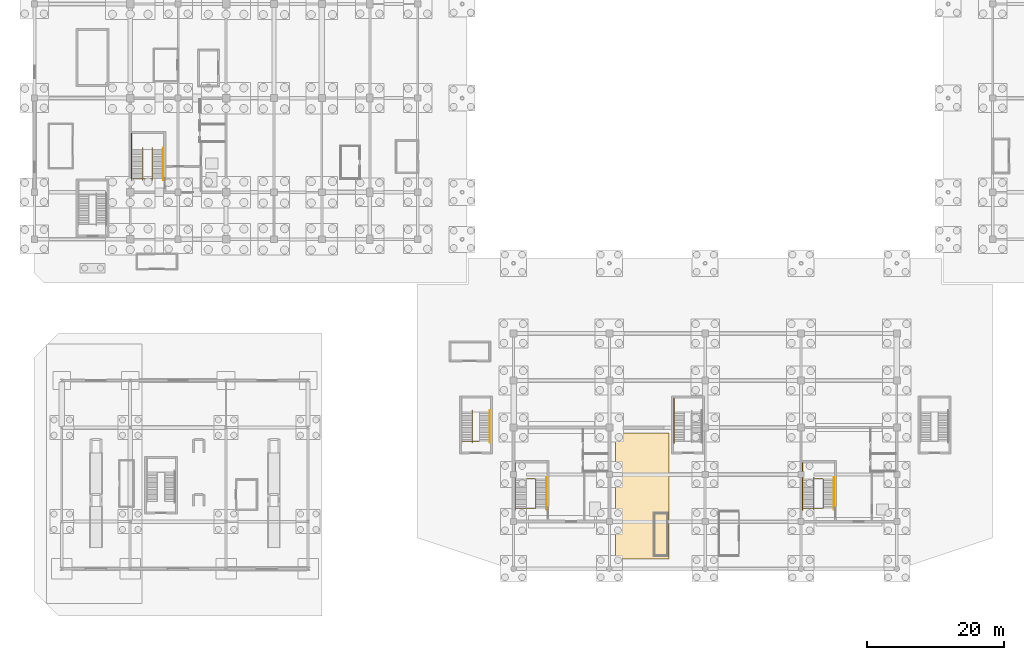
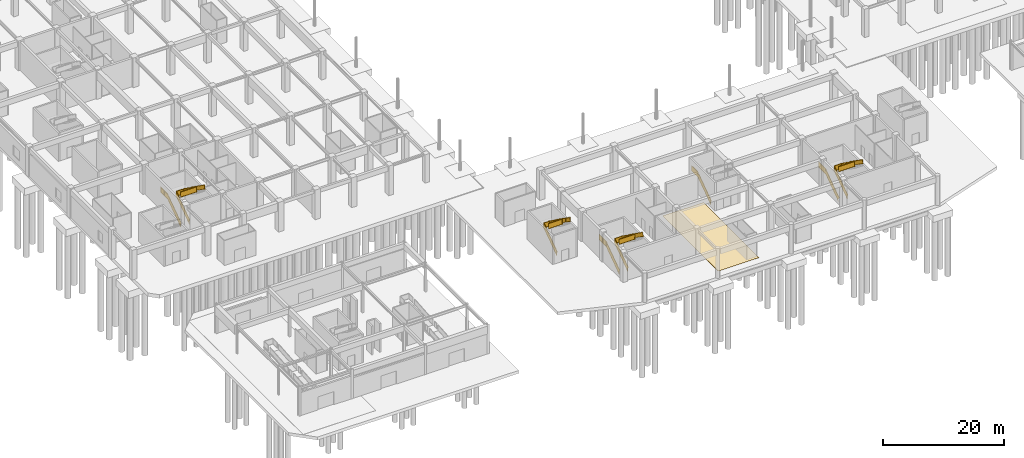
# One storey, part 56 of 62: 12 railings, 1 covering.
"""IFC4 building model written with IfcOpenShell, lengths in metres."""

from ifc_helpers import new_model, si_unit, direction, frame, origin, origin_2d, place, context, subcontext, project, spatial, polyline, rectangle, outline, extrude, material, layer, layer_set, type_object, element, save


model = new_model("IFC4")

# Units and contexts
model_context = context("Model", 3, precision=1e-05, world=origin(), true_north=direction((0.0, 1.0)))
body_context = subcontext(model_context, "Body", "Model", "MODEL_VIEW")
ifc_project = project(units=[si_unit("LENGTHUNIT", "METRE"), si_unit("AREAUNIT", "SQUARE_METRE"), si_unit("VOLUMEUNIT", "CUBIC_METRE"), si_unit("PLANEANGLEUNIT", "RADIAN"), si_unit("MASSUNIT", "GRAM", prefix="KILO")], contexts=[model_context])

# Site, building, storey
site_placement = place(None, origin())
site = spatial("IfcSite", under=ifc_project, at=site_placement, CompositionType="ELEMENT")
building_placement = place(site_placement, origin())
building = spatial("IfcBuilding", under=site, at=building_placement, Name="Linyun Crest Stadium", CompositionType="ELEMENT")
storey_placement = place(building_placement, frame((0.0, 0.0, -6.0)))
storey = spatial("IfcBuildingStorey", under=building, at=storey_placement, Name="B1", CompositionType="ELEMENT", Elevation=-6.0)

# Covering
ifc_material_1 = material(Name="Polymeric cushioned multi-sport athletic flooring")
ifc_layer = layer(ifc_material_1, 0.01806640625)
ifc_layer_set = layer_set([ifc_layer], Name="Polymeric cushioned multi-sport athletic flooring")
covering_type = type_object("IfcCoveringType", Name="FLR01", PredefinedType="FLOORING", material=ifc_layer_set)
covering_placement = place(storey_placement, origin())
element("IfcCovering", 1, at=covering_placement, inside=storey, type_object=covering_type, Name="Athletic flooring FLR01 6", PredefinedType="FLOORING", context=body_context, shape_type="SweptSolid", body=[
    extrude(outline(polyline([(-13.10009765625, -92.699951171875), (-5.300048828125, -92.699951171875), (-5.300048828125, -74.300048828125), (-13.10009765625, -74.300048828125), (-13.10009765625, -92.699951171875)])), origin(), (0.0, 0.0, 1.0), 0.01806640625),
])

# Railings
ifc_material_2 = material(Name="Painted steel stairwell safety guard", Category="steel")
railing_type_1 = type_object("IfcRailingType", Name="GR03", PredefinedType="GUARDRAIL", material=ifc_material_2)
railing_1_placement = place(storey_placement, frame((-83.794921875, -37.135009765625, 0.0)))
element("IfcRailing", 2, at=railing_1_placement, inside=storey, type_object=railing_type_1, Name="STR-01-B1 outer guard", PredefinedType="GUARDRAIL", context=body_context, shape_type="SweptSolid", body=[
    extrude(rectangle(XDim=0.06005859375, YDim=0.06005859375, at=origin_2d()), frame((0.0, 0.0, 1.090087890625), z_axis=(0.0, 0.816967863265, 0.576683197599), x_axis=(-1.0, 0.0, 0.0)), (0.0, 0.0, 1.0), 5.2021484375),
    extrude(rectangle(XDim=0.030029296875, YDim=1.0, at=origin_2d()), frame((0.0, 0.0, 0.56005859375), z_axis=(0.0, 0.816967863265, 0.576683197599), x_axis=(-1.0, 0.0, 0.0)), (0.0, 0.0, 1.0), 5.2021484375),
    extrude(rectangle(XDim=0.06005859375, YDim=0.06005859375, at=origin_2d()), frame((0.0, 0.0, 0.030029296875), z_axis=(0.0, 0.816967863265, 0.576683197599), x_axis=(-1.0, 0.0, 0.0)), (0.0, 0.0, 1.0), 5.2021484375),
    extrude(rectangle(XDim=0.06005859375, YDim=0.06005859375, at=origin_2d()), frame((0.0, 4.25, 4.090087890625), z_axis=(0.0, 1.0, 0.0), x_axis=(-1.0, 0.0, 0.0)), (0.0, 0.0, 1.0), 2.330078125),
    extrude(rectangle(XDim=0.030029296875, YDim=1.0, at=origin_2d()), frame((0.0, 4.25, 3.56005859375), z_axis=(0.0, 1.0, 0.0), x_axis=(-1.0, 0.0, 0.0)), (0.0, 0.0, 1.0), 2.330078125),
    extrude(rectangle(XDim=0.06005859375, YDim=0.06005859375, at=origin_2d()), frame((0.0, 4.25, 3.030029296875), z_axis=(0.0, 1.0, 0.0), x_axis=(-1.0, 0.0, 0.0)), (0.0, 0.0, 1.0), 2.330078125),
    extrude(rectangle(XDim=0.050048828125, YDim=0.050048828125, at=origin_2d()), origin(), (0.0, 0.0, 1.0), 1.1201171875),
    extrude(rectangle(XDim=0.050048828125, YDim=0.050048828125, at=origin_2d()), frame((0.0, 1.416748046875, 1.0)), (0.0, 0.0, 1.0), 1.1201171875),
    extrude(rectangle(XDim=0.050048828125, YDim=0.050048828125, at=origin_2d()), frame((0.0, 2.833251953125, 2.0)), (0.0, 0.0, 1.0), 1.1201171875),
    extrude(rectangle(XDim=0.050048828125, YDim=0.050048828125, at=origin_2d()), frame((0.0, 4.25, 3.0)), (0.0, 0.0, 1.0), 1.1201171875),
    extrude(rectangle(XDim=0.050048828125, YDim=0.050048828125, at=origin_2d()), frame((0.0, 5.4150390625, 3.0)), (0.0, 0.0, 1.0), 1.1201171875),
    extrude(rectangle(XDim=0.050048828125, YDim=0.050048828125, at=origin_2d()), frame((0.0, 6.580078125, 3.0)), (0.0, 0.0, 1.0), 1.1201171875),
])
railing_2_placement = place(storey_placement, frame((-82.155029296875, -37.155029296875, 0.0)))
element("IfcRailing", 3, at=railing_2_placement, inside=storey, type_object=railing_type_1, Name="STR-01-B1 inner well guard", PredefinedType="GUARDRAIL", context=body_context, shape_type="SweptSolid", body=[
    extrude(rectangle(XDim=0.06005859375, YDim=0.06005859375, at=origin_2d()), frame((0.0, 0.0, 1.090087890625), z_axis=(0.0, 0.818241657069, 0.574874412926), x_axis=(-1.0, 0.0, 0.0)), (0.0, 0.0, 1.0), 5.218505859375),
    extrude(rectangle(XDim=0.030029296875, YDim=1.0, at=origin_2d()), frame((0.0, 0.0, 0.56005859375), z_axis=(0.0, 0.818241657069, 0.574874412926), x_axis=(-1.0, 0.0, 0.0)), (0.0, 0.0, 1.0), 5.218505859375),
    extrude(rectangle(XDim=0.06005859375, YDim=0.06005859375, at=origin_2d()), frame((0.0, 0.0, 0.030029296875), z_axis=(0.0, 0.818241657069, 0.574874412926), x_axis=(-1.0, 0.0, 0.0)), (0.0, 0.0, 1.0), 5.218505859375),
    extrude(rectangle(XDim=0.06005859375, YDim=0.06005859375, at=origin_2d()), frame((0.0, 4.27001953125, 4.090087890625), z_axis=(1.0, 0.0, 0.0), x_axis=(0.0, 1.0, 0.0)), (0.0, 0.0, 1.0), 1.385009765625),
    extrude(rectangle(XDim=0.030029296875, YDim=1.0, at=origin_2d()), frame((0.0, 4.27001953125, 3.56005859375), z_axis=(1.0, 0.0, 0.0), x_axis=(0.0, 1.0, 0.0)), (0.0, 0.0, 1.0), 1.385009765625),
    extrude(rectangle(XDim=0.06005859375, YDim=0.06005859375, at=origin_2d()), frame((0.0, 4.27001953125, 3.030029296875), z_axis=(1.0, 0.0, 0.0), x_axis=(0.0, 1.0, 0.0)), (0.0, 0.0, 1.0), 1.385009765625),
    extrude(rectangle(XDim=0.06005859375, YDim=0.06005859375, at=origin_2d()), frame((1.385009765625, 4.27001953125, 4.090087890625), z_axis=(0.0, -0.818241657069, 0.574874412926), x_axis=(1.0, 0.0, 0.0)), (0.0, 0.0, 1.0), 5.218505859375),
    extrude(rectangle(XDim=0.030029296875, YDim=1.0, at=origin_2d()), frame((1.385009765625, 4.27001953125, 3.56005859375), z_axis=(0.0, -0.818241657069, 0.574874412926), x_axis=(1.0, 0.0, 0.0)), (0.0, 0.0, 1.0), 5.218505859375),
    extrude(rectangle(XDim=0.06005859375, YDim=0.06005859375, at=origin_2d()), frame((1.385009765625, 4.27001953125, 3.030029296875), z_axis=(0.0, -0.818241657069, 0.574874412926), x_axis=(1.0, 0.0, 0.0)), (0.0, 0.0, 1.0), 5.218505859375),
    extrude(rectangle(XDim=0.06005859375, YDim=0.06005859375, at=origin_2d()), frame((1.385009765625, 0.0, 7.090087890625), z_axis=(-1.0, 0.0, 0.0), x_axis=(0.0, -1.0, 0.0)), (0.0, 0.0, 1.0), 3.034912109375),
    extrude(rectangle(XDim=0.030029296875, YDim=1.0, at=origin_2d()), frame((1.385009765625, 0.0, 6.56005859375), z_axis=(-1.0, 0.0, 0.0), x_axis=(0.0, -1.0, 0.0)), (0.0, 0.0, 1.0), 3.034912109375),
    extrude(rectangle(XDim=0.06005859375, YDim=0.06005859375, at=origin_2d()), frame((1.385009765625, 0.0, 6.030029296875), z_axis=(-1.0, 0.0, 0.0), x_axis=(0.0, -1.0, 0.0)), (0.0, 0.0, 1.0), 3.034912109375),
    extrude(rectangle(XDim=0.050048828125, YDim=0.050048828125, at=origin_2d()), origin(), (0.0, 0.0, 1.0), 1.1201171875),
    extrude(rectangle(XDim=0.050048828125, YDim=0.050048828125, at=origin_2d()), frame((0.0, 1.42333984375, 1.0)), (0.0, 0.0, 1.0), 1.1201171875),
    extrude(rectangle(XDim=0.050048828125, YDim=0.050048828125, at=origin_2d()), frame((0.0, 2.8466796875, 2.0)), (0.0, 0.0, 1.0), 1.1201171875),
    extrude(rectangle(XDim=0.050048828125, YDim=0.050048828125, at=origin_2d()), frame((0.0, 4.27001953125, 3.0)), (0.0, 0.0, 1.0), 1.1201171875),
    extrude(rectangle(XDim=0.050048828125, YDim=0.050048828125, at=origin_2d()), frame((1.385009765625, 4.27001953125, 3.0)), (0.0, 0.0, 1.0), 1.1201171875),
    extrude(rectangle(XDim=0.050048828125, YDim=0.050048828125, at=origin_2d()), frame((1.385009765625, 2.8466796875, 4.0)), (0.0, 0.0, 1.0), 1.1201171875),
    extrude(rectangle(XDim=0.050048828125, YDim=0.050048828125, at=origin_2d()), frame((1.385009765625, 1.42333984375, 5.0)), (0.0, 0.0, 1.0), 1.1201171875),
    extrude(rectangle(XDim=0.050048828125, YDim=0.050048828125, at=origin_2d()), frame((1.385009765625, 0.0, 6.0)), (0.0, 0.0, 1.0), 1.1201171875),
    extrude(rectangle(XDim=0.050048828125, YDim=0.050048828125, at=origin_2d()), frame((-0.13232421875, 0.0, 6.0)), (0.0, 0.0, 1.0), 1.1201171875),
    extrude(rectangle(XDim=0.050048828125, YDim=0.050048828125, at=origin_2d()), frame((-1.64990234375, 0.0, 6.0)), (0.0, 0.0, 1.0), 1.1201171875),
])
railing_3_placement = place(storey_placement, frame((-27.7451171875, -85.260009765625, 0.0)))
element("IfcRailing", 4, at=railing_3_placement, inside=storey, type_object=railing_type_1, Name="STR-09-B1 outer guard", PredefinedType="GUARDRAIL", context=body_context, shape_type="SweptSolid", body=[
    extrude(rectangle(XDim=0.06005859375, YDim=0.06005859375, at=origin_2d()), frame((0.0, 0.0, 1.090087890625), z_axis=(0.0, 0.816967863265, 0.576683197599), x_axis=(-1.0, 0.0, 0.0)), (0.0, 0.0, 1.0), 5.2021484375),
    extrude(rectangle(XDim=0.030029296875, YDim=1.0, at=origin_2d()), frame((0.0, 0.0, 0.56005859375), z_axis=(0.0, 0.816967863265, 0.576683197599), x_axis=(-1.0, 0.0, 0.0)), (0.0, 0.0, 1.0), 5.2021484375),
    extrude(rectangle(XDim=0.06005859375, YDim=0.06005859375, at=origin_2d()), frame((0.0, 0.0, 0.030029296875), z_axis=(0.0, 0.816967863265, 0.576683197599), x_axis=(-1.0, 0.0, 0.0)), (0.0, 0.0, 1.0), 5.2021484375),
    extrude(rectangle(XDim=0.06005859375, YDim=0.06005859375, at=origin_2d()), frame((0.0, 4.25, 4.090087890625), z_axis=(0.0, 1.0, 0.0), x_axis=(-1.0, 0.0, 0.0)), (0.0, 0.0, 1.0), 2.330078125),
    extrude(rectangle(XDim=0.030029296875, YDim=1.0, at=origin_2d()), frame((0.0, 4.25, 3.56005859375), z_axis=(0.0, 1.0, 0.0), x_axis=(-1.0, 0.0, 0.0)), (0.0, 0.0, 1.0), 2.330078125),
    extrude(rectangle(XDim=0.06005859375, YDim=0.06005859375, at=origin_2d()), frame((0.0, 4.25, 3.030029296875), z_axis=(0.0, 1.0, 0.0), x_axis=(-1.0, 0.0, 0.0)), (0.0, 0.0, 1.0), 2.330078125),
    extrude(rectangle(XDim=0.050048828125, YDim=0.050048828125, at=origin_2d()), origin(), (0.0, 0.0, 1.0), 1.1201171875),
    extrude(rectangle(XDim=0.050048828125, YDim=0.050048828125, at=origin_2d()), frame((0.0, 1.416748046875, 1.0)), (0.0, 0.0, 1.0), 1.1201171875),
    extrude(rectangle(XDim=0.050048828125, YDim=0.050048828125, at=origin_2d()), frame((0.0, 2.833251953125, 2.0)), (0.0, 0.0, 1.0), 1.1201171875),
    extrude(rectangle(XDim=0.050048828125, YDim=0.050048828125, at=origin_2d()), frame((0.0, 4.25, 3.0)), (0.0, 0.0, 1.0), 1.1201171875),
    extrude(rectangle(XDim=0.050048828125, YDim=0.050048828125, at=origin_2d()), frame((0.0, 5.4150390625, 3.0)), (0.0, 0.0, 1.0), 1.1201171875),
    extrude(rectangle(XDim=0.050048828125, YDim=0.050048828125, at=origin_2d()), frame((0.0, 6.580078125, 3.0)), (0.0, 0.0, 1.0), 1.1201171875),
])
railing_4_placement = place(storey_placement, frame((-26.10498046875, -85.280029296875, 0.0)))
element("IfcRailing", 5, at=railing_4_placement, inside=storey, type_object=railing_type_1, Name="STR-09-B1 inner well guard", PredefinedType="GUARDRAIL", context=body_context, shape_type="SweptSolid", body=[
    extrude(rectangle(XDim=0.06005859375, YDim=0.06005859375, at=origin_2d()), frame((0.0, 0.0, 1.090087890625), z_axis=(0.0, 0.818241657069, 0.574874412926), x_axis=(-1.0, 0.0, 0.0)), (0.0, 0.0, 1.0), 5.218505859375),
    extrude(rectangle(XDim=0.030029296875, YDim=1.0, at=origin_2d()), frame((0.0, 0.0, 0.56005859375), z_axis=(0.0, 0.818241657069, 0.574874412926), x_axis=(-1.0, 0.0, 0.0)), (0.0, 0.0, 1.0), 5.218505859375),
    extrude(rectangle(XDim=0.06005859375, YDim=0.06005859375, at=origin_2d()), frame((0.0, 0.0, 0.030029296875), z_axis=(0.0, 0.818241657069, 0.574874412926), x_axis=(-1.0, 0.0, 0.0)), (0.0, 0.0, 1.0), 5.218505859375),
    extrude(rectangle(XDim=0.06005859375, YDim=0.06005859375, at=origin_2d()), frame((0.0, 4.27001953125, 4.090087890625), z_axis=(1.0, 0.0, 0.0), x_axis=(0.0, 1.0, 0.0)), (0.0, 0.0, 1.0), 1.3349609375),
    extrude(rectangle(XDim=0.030029296875, YDim=1.0, at=origin_2d()), frame((0.0, 4.27001953125, 3.56005859375), z_axis=(1.0, 0.0, 0.0), x_axis=(0.0, 1.0, 0.0)), (0.0, 0.0, 1.0), 1.3349609375),
    extrude(rectangle(XDim=0.06005859375, YDim=0.06005859375, at=origin_2d()), frame((0.0, 4.27001953125, 3.030029296875), z_axis=(1.0, 0.0, 0.0), x_axis=(0.0, 1.0, 0.0)), (0.0, 0.0, 1.0), 1.3349609375),
    extrude(rectangle(XDim=0.06005859375, YDim=0.06005859375, at=origin_2d()), frame((1.3349609375, 4.27001953125, 4.090087890625), z_axis=(0.0, -0.818241657069, 0.574874412926), x_axis=(1.0, 0.0, 0.0)), (0.0, 0.0, 1.0), 5.218505859375),
    extrude(rectangle(XDim=0.030029296875, YDim=1.0, at=origin_2d()), frame((1.3349609375, 4.27001953125, 3.56005859375), z_axis=(0.0, -0.818241657069, 0.574874412926), x_axis=(1.0, 0.0, 0.0)), (0.0, 0.0, 1.0), 5.218505859375),
    extrude(rectangle(XDim=0.06005859375, YDim=0.06005859375, at=origin_2d()), frame((1.3349609375, 4.27001953125, 3.030029296875), z_axis=(0.0, -0.818241657069, 0.574874412926), x_axis=(1.0, 0.0, 0.0)), (0.0, 0.0, 1.0), 5.218505859375),
    extrude(rectangle(XDim=0.06005859375, YDim=0.06005859375, at=origin_2d()), frame((1.3349609375, 0.0, 7.090087890625), z_axis=(-1.0, 0.0, 0.0), x_axis=(0.0, -1.0, 0.0)), (0.0, 0.0, 1.0), 2.98486328125),
    extrude(rectangle(XDim=0.030029296875, YDim=1.0, at=origin_2d()), frame((1.3349609375, 0.0, 6.56005859375), z_axis=(-1.0, 0.0, 0.0), x_axis=(0.0, -1.0, 0.0)), (0.0, 0.0, 1.0), 2.98486328125),
    extrude(rectangle(XDim=0.06005859375, YDim=0.06005859375, at=origin_2d()), frame((1.3349609375, 0.0, 6.030029296875), z_axis=(-1.0, 0.0, 0.0), x_axis=(0.0, -1.0, 0.0)), (0.0, 0.0, 1.0), 2.98486328125),
    extrude(rectangle(XDim=0.050048828125, YDim=0.050048828125, at=origin_2d()), origin(), (0.0, 0.0, 1.0), 1.1201171875),
    extrude(rectangle(XDim=0.050048828125, YDim=0.050048828125, at=origin_2d()), frame((0.0, 1.42333984375, 1.0)), (0.0, 0.0, 1.0), 1.1201171875),
    extrude(rectangle(XDim=0.050048828125, YDim=0.050048828125, at=origin_2d()), frame((0.0, 2.8466796875, 2.0)), (0.0, 0.0, 1.0), 1.1201171875),
    extrude(rectangle(XDim=0.050048828125, YDim=0.050048828125, at=origin_2d()), frame((0.0, 4.27001953125, 3.0)), (0.0, 0.0, 1.0), 1.1201171875),
    extrude(rectangle(XDim=0.050048828125, YDim=0.050048828125, at=origin_2d()), frame((1.3349609375, 4.27001953125, 3.0)), (0.0, 0.0, 1.0), 1.1201171875),
    extrude(rectangle(XDim=0.050048828125, YDim=0.050048828125, at=origin_2d()), frame((1.3349609375, 2.8466796875, 4.0)), (0.0, 0.0, 1.0), 1.1201171875),
    extrude(rectangle(XDim=0.050048828125, YDim=0.050048828125, at=origin_2d()), frame((1.3349609375, 1.42333984375, 5.0)), (0.0, 0.0, 1.0), 1.1201171875),
    extrude(rectangle(XDim=0.050048828125, YDim=0.050048828125, at=origin_2d()), frame((1.3349609375, 0.0, 6.0)), (0.0, 0.0, 1.0), 1.1201171875),
    extrude(rectangle(XDim=0.050048828125, YDim=0.050048828125, at=origin_2d()), frame((-0.157470703125, 0.0, 6.0)), (0.0, 0.0, 1.0), 1.1201171875),
    extrude(rectangle(XDim=0.050048828125, YDim=0.050048828125, at=origin_2d()), frame((-1.64990234375, 0.0, 6.0)), (0.0, 0.0, 1.0), 1.1201171875),
])
railing_5_placement = place(storey_placement, frame((14.205078125, -85.260009765625, 0.0)))
element("IfcRailing", 6, at=railing_5_placement, inside=storey, type_object=railing_type_1, Name="STR-10-B1 outer guard", PredefinedType="GUARDRAIL", context=body_context, shape_type="SweptSolid", body=[
    extrude(rectangle(XDim=0.06005859375, YDim=0.06005859375, at=origin_2d()), frame((0.0, 0.0, 1.090087890625), z_axis=(0.0, 0.816967863265, 0.576683197599), x_axis=(-1.0, 0.0, 0.0)), (0.0, 0.0, 1.0), 5.2021484375),
    extrude(rectangle(XDim=0.030029296875, YDim=1.0, at=origin_2d()), frame((0.0, 0.0, 0.56005859375), z_axis=(0.0, 0.816967863265, 0.576683197599), x_axis=(-1.0, 0.0, 0.0)), (0.0, 0.0, 1.0), 5.2021484375),
    extrude(rectangle(XDim=0.06005859375, YDim=0.06005859375, at=origin_2d()), frame((0.0, 0.0, 0.030029296875), z_axis=(0.0, 0.816967863265, 0.576683197599), x_axis=(-1.0, 0.0, 0.0)), (0.0, 0.0, 1.0), 5.2021484375),
    extrude(rectangle(XDim=0.06005859375, YDim=0.06005859375, at=origin_2d()), frame((0.0, 4.25, 4.090087890625), z_axis=(0.0, 1.0, 0.0), x_axis=(-1.0, 0.0, 0.0)), (0.0, 0.0, 1.0), 2.330078125),
    extrude(rectangle(XDim=0.030029296875, YDim=1.0, at=origin_2d()), frame((0.0, 4.25, 3.56005859375), z_axis=(0.0, 1.0, 0.0), x_axis=(-1.0, 0.0, 0.0)), (0.0, 0.0, 1.0), 2.330078125),
    extrude(rectangle(XDim=0.06005859375, YDim=0.06005859375, at=origin_2d()), frame((0.0, 4.25, 3.030029296875), z_axis=(0.0, 1.0, 0.0), x_axis=(-1.0, 0.0, 0.0)), (0.0, 0.0, 1.0), 2.330078125),
    extrude(rectangle(XDim=0.050048828125, YDim=0.050048828125, at=origin_2d()), origin(), (0.0, 0.0, 1.0), 1.1201171875),
    extrude(rectangle(XDim=0.050048828125, YDim=0.050048828125, at=origin_2d()), frame((0.0, 1.416748046875, 1.0)), (0.0, 0.0, 1.0), 1.1201171875),
    extrude(rectangle(XDim=0.050048828125, YDim=0.050048828125, at=origin_2d()), frame((0.0, 2.833251953125, 2.0)), (0.0, 0.0, 1.0), 1.1201171875),
    extrude(rectangle(XDim=0.050048828125, YDim=0.050048828125, at=origin_2d()), frame((0.0, 4.25, 3.0)), (0.0, 0.0, 1.0), 1.1201171875),
    extrude(rectangle(XDim=0.050048828125, YDim=0.050048828125, at=origin_2d()), frame((0.0, 5.4150390625, 3.0)), (0.0, 0.0, 1.0), 1.1201171875),
    extrude(rectangle(XDim=0.050048828125, YDim=0.050048828125, at=origin_2d()), frame((0.0, 6.580078125, 3.0)), (0.0, 0.0, 1.0), 1.1201171875),
])
railing_6_placement = place(storey_placement, frame((15.844970703125, -85.280029296875, 0.0)))
element("IfcRailing", 7, at=railing_6_placement, inside=storey, type_object=railing_type_1, Name="STR-10-B1 inner well guard", PredefinedType="GUARDRAIL", context=body_context, shape_type="SweptSolid", body=[
    extrude(rectangle(XDim=0.06005859375, YDim=0.06005859375, at=origin_2d()), frame((0.0, 0.0, 1.090087890625), z_axis=(0.0, 0.818241657069, 0.574874412926), x_axis=(-1.0, 0.0, 0.0)), (0.0, 0.0, 1.0), 5.218505859375),
    extrude(rectangle(XDim=0.030029296875, YDim=1.0, at=origin_2d()), frame((0.0, 0.0, 0.56005859375), z_axis=(0.0, 0.818241657069, 0.574874412926), x_axis=(-1.0, 0.0, 0.0)), (0.0, 0.0, 1.0), 5.218505859375),
    extrude(rectangle(XDim=0.06005859375, YDim=0.06005859375, at=origin_2d()), frame((0.0, 0.0, 0.030029296875), z_axis=(0.0, 0.818241657069, 0.574874412926), x_axis=(-1.0, 0.0, 0.0)), (0.0, 0.0, 1.0), 5.218505859375),
    extrude(rectangle(XDim=0.06005859375, YDim=0.06005859375, at=origin_2d()), frame((0.0, 4.27001953125, 4.090087890625), z_axis=(1.0, 0.0, 0.0), x_axis=(0.0, 1.0, 0.0)), (0.0, 0.0, 1.0), 1.385009765625),
    extrude(rectangle(XDim=0.030029296875, YDim=1.0, at=origin_2d()), frame((0.0, 4.27001953125, 3.56005859375), z_axis=(1.0, 0.0, 0.0), x_axis=(0.0, 1.0, 0.0)), (0.0, 0.0, 1.0), 1.385009765625),
    extrude(rectangle(XDim=0.06005859375, YDim=0.06005859375, at=origin_2d()), frame((0.0, 4.27001953125, 3.030029296875), z_axis=(1.0, 0.0, 0.0), x_axis=(0.0, 1.0, 0.0)), (0.0, 0.0, 1.0), 1.385009765625),
    extrude(rectangle(XDim=0.06005859375, YDim=0.06005859375, at=origin_2d()), frame((1.385009765625, 4.27001953125, 4.090087890625), z_axis=(0.0, -0.818241657069, 0.574874412926), x_axis=(1.0, 0.0, 0.0)), (0.0, 0.0, 1.0), 5.218505859375),
    extrude(rectangle(XDim=0.030029296875, YDim=1.0, at=origin_2d()), frame((1.385009765625, 4.27001953125, 3.56005859375), z_axis=(0.0, -0.818241657069, 0.574874412926), x_axis=(1.0, 0.0, 0.0)), (0.0, 0.0, 1.0), 5.218505859375),
    extrude(rectangle(XDim=0.06005859375, YDim=0.06005859375, at=origin_2d()), frame((1.385009765625, 4.27001953125, 3.030029296875), z_axis=(0.0, -0.818241657069, 0.574874412926), x_axis=(1.0, 0.0, 0.0)), (0.0, 0.0, 1.0), 5.218505859375),
    extrude(rectangle(XDim=0.06005859375, YDim=0.06005859375, at=origin_2d()), frame((1.385009765625, 0.0, 7.090087890625), z_axis=(-1.0, 0.0, 0.0), x_axis=(0.0, -1.0, 0.0)), (0.0, 0.0, 1.0), 3.034912109375),
    extrude(rectangle(XDim=0.030029296875, YDim=1.0, at=origin_2d()), frame((1.385009765625, 0.0, 6.56005859375), z_axis=(-1.0, 0.0, 0.0), x_axis=(0.0, -1.0, 0.0)), (0.0, 0.0, 1.0), 3.034912109375),
    extrude(rectangle(XDim=0.06005859375, YDim=0.06005859375, at=origin_2d()), frame((1.385009765625, 0.0, 6.030029296875), z_axis=(-1.0, 0.0, 0.0), x_axis=(0.0, -1.0, 0.0)), (0.0, 0.0, 1.0), 3.034912109375),
    extrude(rectangle(XDim=0.050048828125, YDim=0.050048828125, at=origin_2d()), origin(), (0.0, 0.0, 1.0), 1.1201171875),
    extrude(rectangle(XDim=0.050048828125, YDim=0.050048828125, at=origin_2d()), frame((0.0, 1.42333984375, 1.0)), (0.0, 0.0, 1.0), 1.1201171875),
    extrude(rectangle(XDim=0.050048828125, YDim=0.050048828125, at=origin_2d()), frame((0.0, 2.8466796875, 2.0)), (0.0, 0.0, 1.0), 1.1201171875),
    extrude(rectangle(XDim=0.050048828125, YDim=0.050048828125, at=origin_2d()), frame((0.0, 4.27001953125, 3.0)), (0.0, 0.0, 1.0), 1.1201171875),
    extrude(rectangle(XDim=0.050048828125, YDim=0.050048828125, at=origin_2d()), frame((1.385009765625, 4.27001953125, 3.0)), (0.0, 0.0, 1.0), 1.1201171875),
    extrude(rectangle(XDim=0.050048828125, YDim=0.050048828125, at=origin_2d()), frame((1.385009765625, 2.8466796875, 4.0)), (0.0, 0.0, 1.0), 1.1201171875),
    extrude(rectangle(XDim=0.050048828125, YDim=0.050048828125, at=origin_2d()), frame((1.385009765625, 1.42333984375, 5.0)), (0.0, 0.0, 1.0), 1.1201171875),
    extrude(rectangle(XDim=0.050048828125, YDim=0.050048828125, at=origin_2d()), frame((1.385009765625, 0.0, 6.0)), (0.0, 0.0, 1.0), 1.1201171875),
    extrude(rectangle(XDim=0.050048828125, YDim=0.050048828125, at=origin_2d()), frame((-0.13232421875, 0.0, 6.0)), (0.0, 0.0, 1.0), 1.1201171875),
    extrude(rectangle(XDim=0.050048828125, YDim=0.050048828125, at=origin_2d()), frame((-1.64990234375, 0.0, 6.0)), (0.0, 0.0, 1.0), 1.1201171875),
])
railing_7_placement = place(storey_placement, frame((-34.030029296875, -75.5, 0.0)))
element("IfcRailing", 8, at=railing_7_placement, inside=storey, type_object=railing_type_1, Name="STR-27-B1 inner well guard", PredefinedType="GUARDRAIL", context=body_context, shape_type="SweptSolid", body=[
    extrude(rectangle(XDim=0.06005859375, YDim=0.06005859375, at=origin_2d()), frame((0.0, 0.0, 1.090087890625), z_axis=(0.0, 0.818241657069, 0.574874412926), x_axis=(-1.0, 0.0, 0.0)), (0.0, 0.0, 1.0), 5.218505859375),
    extrude(rectangle(XDim=0.030029296875, YDim=1.0, at=origin_2d()), frame((0.0, 0.0, 0.56005859375), z_axis=(0.0, 0.818241657069, 0.574874412926), x_axis=(-1.0, 0.0, 0.0)), (0.0, 0.0, 1.0), 5.218505859375),
    extrude(rectangle(XDim=0.06005859375, YDim=0.06005859375, at=origin_2d()), frame((0.0, 0.0, 0.030029296875), z_axis=(0.0, 0.818241657069, 0.574874412926), x_axis=(-1.0, 0.0, 0.0)), (0.0, 0.0, 1.0), 5.218505859375),
    extrude(rectangle(XDim=0.06005859375, YDim=0.06005859375, at=origin_2d()), frame((0.0, 4.27001953125, 4.090087890625), z_axis=(1.0, 0.0, 0.0), x_axis=(0.0, 1.0, 0.0)), (0.0, 0.0, 1.0), 1.06005859375),
    extrude(rectangle(XDim=0.030029296875, YDim=1.0, at=origin_2d()), frame((0.0, 4.27001953125, 3.56005859375), z_axis=(1.0, 0.0, 0.0), x_axis=(0.0, 1.0, 0.0)), (0.0, 0.0, 1.0), 1.06005859375),
    extrude(rectangle(XDim=0.06005859375, YDim=0.06005859375, at=origin_2d()), frame((0.0, 4.27001953125, 3.030029296875), z_axis=(1.0, 0.0, 0.0), x_axis=(0.0, 1.0, 0.0)), (0.0, 0.0, 1.0), 1.06005859375),
    extrude(rectangle(XDim=0.06005859375, YDim=0.06005859375, at=origin_2d()), frame((1.06005859375, 4.27001953125, 4.090087890625), z_axis=(0.0, -0.818241657069, 0.574874412926), x_axis=(1.0, 0.0, 0.0)), (0.0, 0.0, 1.0), 5.218505859375),
    extrude(rectangle(XDim=0.030029296875, YDim=1.0, at=origin_2d()), frame((1.06005859375, 4.27001953125, 3.56005859375), z_axis=(0.0, -0.818241657069, 0.574874412926), x_axis=(1.0, 0.0, 0.0)), (0.0, 0.0, 1.0), 5.218505859375),
    extrude(rectangle(XDim=0.06005859375, YDim=0.06005859375, at=origin_2d()), frame((1.06005859375, 4.27001953125, 3.030029296875), z_axis=(0.0, -0.818241657069, 0.574874412926), x_axis=(1.0, 0.0, 0.0)), (0.0, 0.0, 1.0), 5.218505859375),
    extrude(rectangle(XDim=0.06005859375, YDim=0.06005859375, at=origin_2d()), frame((1.06005859375, 0.0, 7.090087890625), z_axis=(-1.0, 0.0, 0.0), x_axis=(0.0, -1.0, 0.0)), (0.0, 0.0, 1.0), 2.610107421875),
    extrude(rectangle(XDim=0.030029296875, YDim=1.0, at=origin_2d()), frame((1.06005859375, 0.0, 6.56005859375), z_axis=(-1.0, 0.0, 0.0), x_axis=(0.0, -1.0, 0.0)), (0.0, 0.0, 1.0), 2.610107421875),
    extrude(rectangle(XDim=0.06005859375, YDim=0.06005859375, at=origin_2d()), frame((1.06005859375, 0.0, 6.030029296875), z_axis=(-1.0, 0.0, 0.0), x_axis=(0.0, -1.0, 0.0)), (0.0, 0.0, 1.0), 2.610107421875),
    extrude(rectangle(XDim=0.050048828125, YDim=0.050048828125, at=origin_2d()), origin(), (0.0, 0.0, 1.0), 1.1201171875),
    extrude(rectangle(XDim=0.050048828125, YDim=0.050048828125, at=origin_2d()), frame((0.0, 1.42333984375, 1.0)), (0.0, 0.0, 1.0), 1.1201171875),
    extrude(rectangle(XDim=0.050048828125, YDim=0.050048828125, at=origin_2d()), frame((0.0, 2.8466796875, 2.0)), (0.0, 0.0, 1.0), 1.1201171875),
    extrude(rectangle(XDim=0.050048828125, YDim=0.050048828125, at=origin_2d()), frame((0.0, 4.27001953125, 3.0)), (0.0, 0.0, 1.0), 1.1201171875),
    extrude(rectangle(XDim=0.050048828125, YDim=0.050048828125, at=origin_2d()), frame((1.06005859375, 4.27001953125, 3.0)), (0.0, 0.0, 1.0), 1.1201171875),
    extrude(rectangle(XDim=0.050048828125, YDim=0.050048828125, at=origin_2d()), frame((1.06005859375, 2.8466796875, 4.0)), (0.0, 0.0, 1.0), 1.1201171875),
    extrude(rectangle(XDim=0.050048828125, YDim=0.050048828125, at=origin_2d()), frame((1.06005859375, 1.42333984375, 5.0)), (0.0, 0.0, 1.0), 1.1201171875),
    extrude(rectangle(XDim=0.050048828125, YDim=0.050048828125, at=origin_2d()), frame((1.06005859375, 0.0, 6.0)), (0.0, 0.0, 1.0), 1.1201171875),
    extrude(rectangle(XDim=0.050048828125, YDim=0.050048828125, at=origin_2d()), frame((-0.2451171875, 0.0, 6.0)), (0.0, 0.0, 1.0), 1.1201171875),
    extrude(rectangle(XDim=0.050048828125, YDim=0.050048828125, at=origin_2d()), frame((-1.550048828125, 0.0, 6.0)), (0.0, 0.0, 1.0), 1.1201171875),
])
railing_8_placement = place(storey_placement, frame((-4.570068359375, -75.47998046875, 0.0)))
element("IfcRailing", 9, at=railing_8_placement, inside=storey, type_object=railing_type_1, Name="STR-28-B1 outer guard", PredefinedType="GUARDRAIL", context=body_context, shape_type="SweptSolid", body=[
    extrude(rectangle(XDim=0.06005859375, YDim=0.06005859375, at=origin_2d()), frame((0.0, 0.0, 1.090087890625), z_axis=(0.0, 0.816967863265, 0.576683197599), x_axis=(-1.0, 0.0, 0.0)), (0.0, 0.0, 1.0), 5.2021484375),
    extrude(rectangle(XDim=0.030029296875, YDim=1.0, at=origin_2d()), frame((0.0, 0.0, 0.56005859375), z_axis=(0.0, 0.816967863265, 0.576683197599), x_axis=(-1.0, 0.0, 0.0)), (0.0, 0.0, 1.0), 5.2021484375),
    extrude(rectangle(XDim=0.06005859375, YDim=0.06005859375, at=origin_2d()), frame((0.0, 0.0, 0.030029296875), z_axis=(0.0, 0.816967863265, 0.576683197599), x_axis=(-1.0, 0.0, 0.0)), (0.0, 0.0, 1.0), 5.2021484375),
    extrude(rectangle(XDim=0.06005859375, YDim=0.06005859375, at=origin_2d()), frame((0.0, 4.25, 4.090087890625), z_axis=(0.0, 1.0, 0.0), x_axis=(-1.0, 0.0, 0.0)), (0.0, 0.0, 1.0), 2.0),
    extrude(rectangle(XDim=0.030029296875, YDim=1.0, at=origin_2d()), frame((0.0, 4.25, 3.56005859375), z_axis=(0.0, 1.0, 0.0), x_axis=(-1.0, 0.0, 0.0)), (0.0, 0.0, 1.0), 2.0),
    extrude(rectangle(XDim=0.06005859375, YDim=0.06005859375, at=origin_2d()), frame((0.0, 4.25, 3.030029296875), z_axis=(0.0, 1.0, 0.0), x_axis=(-1.0, 0.0, 0.0)), (0.0, 0.0, 1.0), 2.0),
    extrude(rectangle(XDim=0.050048828125, YDim=0.050048828125, at=origin_2d()), origin(), (0.0, 0.0, 1.0), 1.1201171875),
    extrude(rectangle(XDim=0.050048828125, YDim=0.050048828125, at=origin_2d()), frame((0.0, 1.416748046875, 1.0)), (0.0, 0.0, 1.0), 1.1201171875),
    extrude(rectangle(XDim=0.050048828125, YDim=0.050048828125, at=origin_2d()), frame((0.0, 2.833251953125, 2.0)), (0.0, 0.0, 1.0), 1.1201171875),
    extrude(rectangle(XDim=0.050048828125, YDim=0.050048828125, at=origin_2d()), frame((0.0, 4.25, 3.0)), (0.0, 0.0, 1.0), 1.1201171875),
    extrude(rectangle(XDim=0.050048828125, YDim=0.050048828125, at=origin_2d()), frame((0.0, 6.25, 3.0)), (0.0, 0.0, 1.0), 1.1201171875),
])
ifc_material_3 = material(Name="Brushed stainless steel tubular handrail", Category="steel")
railing_type_2 = type_object("IfcRailingType", Name="HR01", PredefinedType="HANDRAIL", material=ifc_material_3)
for number, where, name in (
    (10, (-79.179931640625, -32.885009765625, 3.0), "STR-01-B1 handrail"),
    (11, (-23.179931640625, -81.010009765625, 3.0), "STR-09-B1 handrail"),
    (12, (18.820068359375, -81.010009765625, 3.0), "STR-10-B1 handrail"),
    (13, (-31.47998046875, -71.22998046875, 3.0), "STR-27-B1 handrail"),
):
    element("IfcRailing", number, at=place(storey_placement, frame(where)), inside=storey, type_object=railing_type_2, Name=name, PredefinedType="HANDRAIL", context=body_context, shape_type="SweptSolid", body=[
        extrude(rectangle(XDim=0.06005859375, YDim=0.06005859375, at=origin_2d()), frame((0.0, 0.0, 0.889892578125), z_axis=(0.0, -0.816967863265, 0.576683197599), x_axis=(1.0, 0.0, 0.0)), (0.0, 0.0, 1.0), 5.2021484375),
        extrude(rectangle(XDim=0.030029296875, YDim=0.7998046875, at=origin_2d()), frame((0.0, 0.0, 0.4599609375), z_axis=(0.0, -0.816967863265, 0.576683197599), x_axis=(1.0, 0.0, 0.0)), (0.0, 0.0, 1.0), 5.2021484375),
        extrude(rectangle(XDim=0.06005859375, YDim=0.06005859375, at=origin_2d()), frame((0.0, 0.0, 0.030029296875), z_axis=(0.0, -0.816967863265, 0.576683197599), x_axis=(1.0, 0.0, 0.0)), (0.0, 0.0, 1.0), 5.2021484375),
        extrude(rectangle(XDim=0.050048828125, YDim=0.050048828125, at=origin_2d()), origin(), (0.0, 0.0, 1.0), 0.919921875),
        extrude(rectangle(XDim=0.050048828125, YDim=0.050048828125, at=origin_2d()), frame((0.0, -1.416748046875, 1.0)), (0.0, 0.0, 1.0), 0.919921875),
        extrude(rectangle(XDim=0.050048828125, YDim=0.050048828125, at=origin_2d()), frame((0.0, -2.833251953125, 2.0)), (0.0, 0.0, 1.0), 0.919921875),
        extrude(rectangle(XDim=0.050048828125, YDim=0.050048828125, at=origin_2d()), frame((0.0, -4.25, 3.0)), (0.0, 0.0, 1.0), 0.919921875),
    ])

save(model, "model.ifc")
